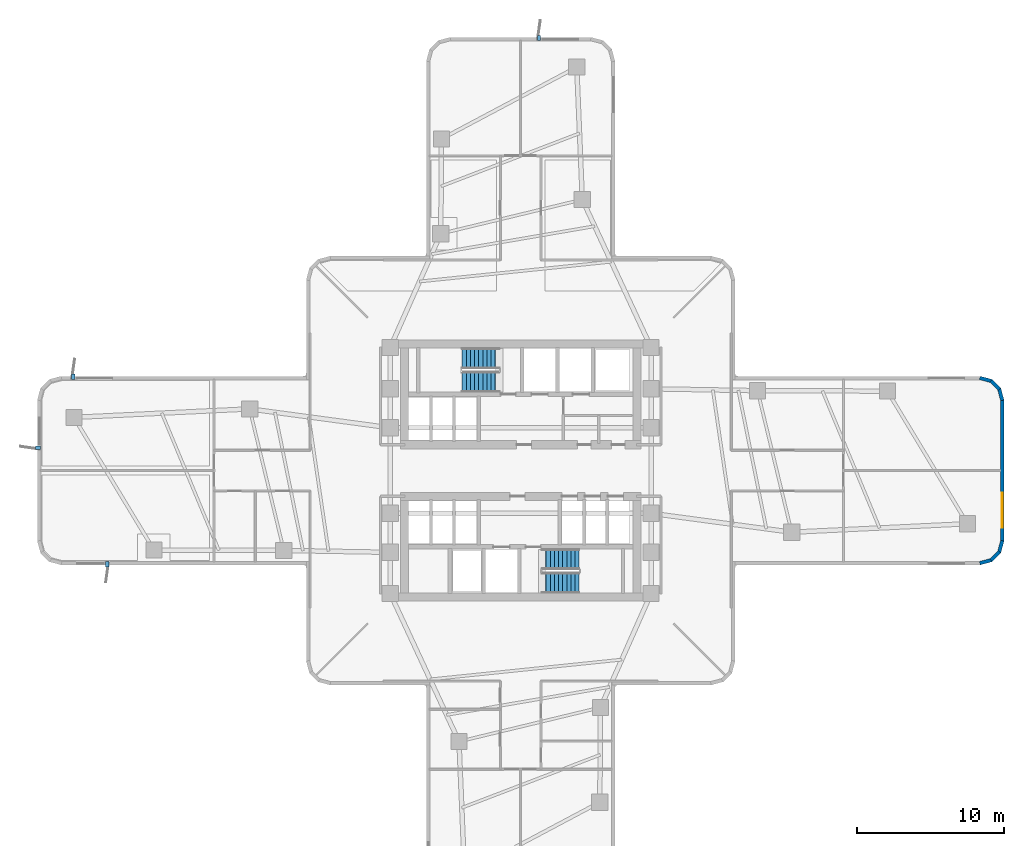
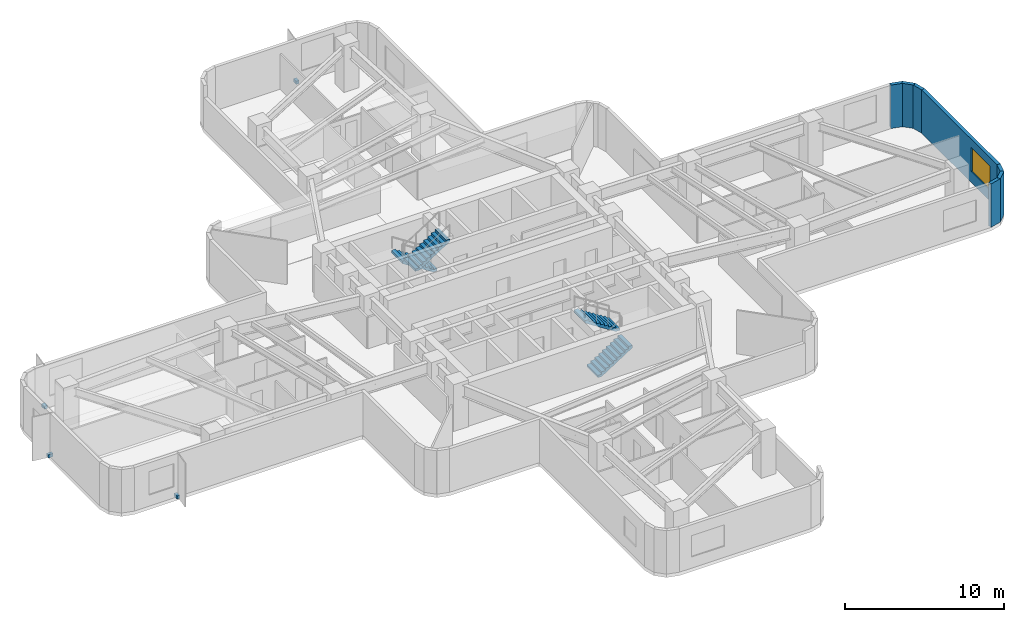
# One storey, part 6 of 9: 7 walls, 4 discrete accessories, 4 stair flights, 1 window, 1 opening, 2 elements without a shape of their own.
"""IFC4 building model written with IfcOpenShell, lengths in metres."""

from ifc_helpers import new_model, si_unit, direction, frame, frame_2d, origin, origin_2d, place, context, subcontext, project, spatial, polyline, rectangle, outline, extrude, material, layer, layer_set, type_object, element, fill, aggregate, save


model = new_model("IFC4")

# Units and contexts
model_context = context("Model", 3, precision=1e-05, world=origin(), true_north=direction((0.0, 1.0)))
body_context = subcontext(model_context, "Body", "Model", "MODEL_VIEW")
ifc_project = project(units=[si_unit("LENGTHUNIT", "METRE"), si_unit("AREAUNIT", "SQUARE_METRE"), si_unit("VOLUMEUNIT", "CUBIC_METRE"), si_unit("PLANEANGLEUNIT", "RADIAN"), si_unit("MASSUNIT", "GRAM", prefix="KILO")], contexts=[model_context])

# Site, building, storey
site_placement = place(None, origin())
site = spatial("IfcSite", under=ifc_project, at=site_placement, CompositionType="ELEMENT")
building_placement = place(site_placement, origin())
building = spatial("IfcBuilding", under=site, at=building_placement, Name="Solmarez Civic Tower", CompositionType="ELEMENT")
storey_placement = place(building_placement, frame((0.0, 0.0, 28.080078125)))
storey = spatial("IfcBuildingStorey", under=building, at=storey_placement, Name="L06", CompositionType="ELEMENT", Elevation=28.080078125)

# Walls
ifc_material_1 = material(Name="Precast concrete C40/50", Category="concrete")
ifc_layer = layer(ifc_material_1, 0.239990234375)
ifc_layer_set = layer_set([ifc_layer], Name="Precast concrete C40/50")
wall_type = type_object("IfcWallType", Name="WALL-EXT-240", PredefinedType="SOLIDWALL", material=ifc_layer_set)
wall_1_placement = place(storey_placement, frame((31.159912109375, 6.285888671875, 0.0), z_axis=(0.0, 0.0, 1.0), x_axis=(0.966234939601, -0.25766265056, 0.0)))
element("IfcWall", 1, at=wall_1_placement, inside=storey, type_object=wall_type, Name="L06 Exterior Precast Wall 39", PredefinedType="SOLIDWALL", context=body_context, shape_type="SweptSolid", body=[
    extrude(rectangle(XDim=0.830078125, YDim=0.239990234375, at=frame_2d((0.4150390625, 0.0))), origin(), (0.0, 0.0, 1.0), 3.33984375),
])
wall_2_placement = place(storey_placement, frame((31.919921875, 6.095947265625, 0.0), z_axis=(0.0, 0.0, 1.0), x_axis=(0.707256607812, -0.706956922808, 0.0)))
element("IfcWall", 2, at=wall_2_placement, inside=storey, type_object=wall_type, Name="L06 Exterior Precast Wall 40", PredefinedType="SOLIDWALL", context=body_context, shape_type="SweptSolid", body=[
    extrude(rectangle(XDim=0.814697265625, YDim=0.239990234375, at=frame_2d((0.4072265625, 0.0))), origin(), (0.0, 0.0, 1.0), 3.33984375),
])
wall_3_placement = place(storey_placement, frame((32.471923828125, 5.56201171875, 0.0), z_axis=(0.0, 0.0, 1.0), x_axis=(0.257937227116, -0.966161677396, 0.0)))
element("IfcWall", 3, at=wall_3_placement, inside=storey, type_object=wall_type, Name="L06 Exterior Precast Wall 41", PredefinedType="SOLIDWALL", context=body_context, shape_type="SweptSolid", body=[
    extrude(rectangle(XDim=0.830078125, YDim=0.239990234375, at=frame_2d((0.4150390625, 0.0))), origin(), (0.0, 0.0, 1.0), 3.33984375),
])

# Wall, opening, window
wall_4_placement = place(storey_placement, frame((32.679931640625, 4.80908203125, 0.0), z_axis=(0.0, 0.0, 1.0), x_axis=(0.0, -1.0, 0.0)))
wall_4 = element("IfcWall", 4, at=wall_4_placement, inside=storey, type_object=wall_type, Name="L06 Exterior Precast Wall 42", PredefinedType="SOLIDWALL", context=body_context, shape_type="SweptSolid", body=[
    extrude(rectangle(XDim=9.6181640625, YDim=0.239990234375, at=frame_2d((4.80908203125, 0.0))), origin(), (0.0, 0.0, 1.0), 3.33984375),
])
opening_placement = place(wall_4_placement, frame((6.302001953125, 0.0, 0.85009765625)))
opening = element("IfcOpeningElement", 5, at=opening_placement, cuts=wall_4, Name="Opening W-06", PredefinedType="OPENING", context=body_context, shape_type="SweptSolid", body=[
    extrude(rectangle(XDim=2.39990234375, YDim=1.85009765625, at=frame_2d((1.199951171875, 0.925048828125))), frame((0.0, 0.1298828125, 0.0), z_axis=(0.0, -1.0, 0.0), x_axis=(1.0, 0.0, 0.0)), (0.0, 0.0, 1.0), 0.260009765625),
])
ifc_material_2 = material(Name="Solar Control Bronze-Tinted Insulating Glass", Category="glass")
window_type = type_object("IfcWindowType", Name="WIN-2400X1850", PartitioningType="SINGLE_PANEL", PredefinedType="WINDOW", material=ifc_material_2)
window_placement = place(opening_placement, origin())
window = element("IfcWindow", 6, at=window_placement, inside=storey, type_object=window_type, Name="L06 Exterior Facade Window 42", OverallHeight=1.85009765625, OverallWidth=2.39990234375, PartitioningType="SINGLE_PANEL", PredefinedType="WINDOW", context=body_context, shape_type="SweptSolid", body=[
    extrude(rectangle(XDim=2.39990234375, YDim=1.85009765625, at=frame_2d((1.199951171875, 0.925048828125))), frame((0.0, 0.030029296875, 0.0), z_axis=(0.0, -1.0, 0.0), x_axis=(1.0, 0.0, 0.0)), (0.0, 0.0, 1.0), 0.06005859375),
])
fill(opening, window)

# Walls
wall_5_placement = place(storey_placement, frame((32.68603515625, -4.760009765625, 0.0), z_axis=(0.0, 0.0, 1.0), x_axis=(-0.257937227116, -0.966161677396, 0.0)))
element("IfcWall", 7, at=wall_5_placement, inside=storey, type_object=wall_type, Name="L06 Exterior Precast Wall 43", PredefinedType="SOLIDWALL", context=body_context, shape_type="SweptSolid", body=[
    extrude(rectangle(XDim=0.830078125, YDim=0.239990234375, at=frame_2d((0.4150390625, 0.0))), origin(), (0.0, 0.0, 1.0), 3.33984375),
])
wall_6_placement = place(storey_placement, frame((32.49609375, -5.52001953125, 0.0), z_axis=(0.0, 0.0, 1.0), x_axis=(-0.707256607812, -0.706956922808, 0.0)))
element("IfcWall", 8, at=wall_6_placement, inside=storey, type_object=wall_type, Name="L06 Exterior Precast Wall 44", PredefinedType="SOLIDWALL", context=body_context, shape_type="SweptSolid", body=[
    extrude(rectangle(XDim=0.814697265625, YDim=0.239990234375, at=frame_2d((0.4072265625, 0.0))), origin(), (0.0, 0.0, 1.0), 3.33984375),
])
wall_7_placement = place(storey_placement, frame((31.9619140625, -6.072021484375, 0.0), z_axis=(0.0, 0.0, 1.0), x_axis=(-0.966234939601, -0.25766265056, 0.0)))
element("IfcWall", 9, at=wall_7_placement, inside=storey, type_object=wall_type, Name="L06 Exterior Precast Wall 45", PredefinedType="SOLIDWALL", context=body_context, shape_type="SweptSolid", body=[
    extrude(rectangle(XDim=0.830078125, YDim=0.239990234375, at=frame_2d((0.4150390625, 0.0))), origin(), (0.0, 0.0, 1.0), 3.33984375),
])

# Stair, stair flights
ifc_material_3 = material(Name="Concrete C50/60", Category="concrete")
stair_type = type_object("IfcStairType", Name="STAIR-DOGLEG-140W-20R-1800", PredefinedType="HALF_TURN_STAIR", material=ifc_material_3)
stair_1_placement = place(storey_placement, origin())
stair_1 = element("IfcStair", 10, at=stair_1_placement, inside=storey, type_object=stair_type, Name="L06 North Core Protected Exit Stair ST-1", PredefinedType="HALF_TURN_STAIR")
stair_flight_type = type_object("IfcStairFlightType", Name="FLIGHT-DOGLEG-140W-10R-1800", PredefinedType="STRAIGHT", material=ifc_material_3)
stair_flight_1_placement = place(storey_placement, frame((-1.449951171875, 7.6201171875, 0.0), z_axis=(0.0, 0.0, 1.0), x_axis=(-1.0, 0.0, 0.0)))
stair_flight_1 = element("IfcStairFlight", 11, at=stair_flight_1_placement, type_object=stair_flight_type, Name="ST-1 flight 1", NumberOfRisers=10, NumberOfTreads=9, PredefinedType="STRAIGHT", RiserHeight=0.18, TreadLength=0.28, context=body_context, shape_type="SweptSolid", body=[
    extrude(outline(polyline([(0.0, 0.0), (0.0, 0.179931640625), (0.280029296875, 0.179931640625), (0.280029296875, 0.360107421875), (0.56005859375, 0.360107421875), (0.56005859375, 0.5400390625), (0.840087890625, 0.5400390625), (0.840087890625, 0.719970703125), (1.1201171875, 0.719970703125), (1.1201171875, 0.89990234375), (1.39990234375, 0.89990234375), (1.39990234375, 1.080078125), (1.679931640625, 1.080078125), (1.679931640625, 1.260009765625), (1.9599609375, 1.260009765625), (1.9599609375, 1.43994140625), (2.239990234375, 1.43994140625), (2.239990234375, 1.6201171875), (2.52001953125, 1.6201171875), (2.52001953125, 1.800048828125), (2.52001953125, 1.429931640625), (0.295654296875, 0.0), (0.0, 0.0)])), frame((0.0, 0.699951171875, 0.0), z_axis=(0.0, -1.0, 0.0), x_axis=(1.0, 0.0, 0.0)), (0.0, 0.0, 1.0), 1.39990234375),
])
stair_flight_2_placement = place(storey_placement, frame((-3.969970703125, 6.02001953125, 1.7998046875), z_axis=(0.0, 0.0, 1.0), x_axis=(1.0, 0.0, 0.0)))
stair_flight_2 = element("IfcStairFlight", 12, at=stair_flight_2_placement, type_object=stair_flight_type, Name="ST-1 flight 2", NumberOfRisers=10, NumberOfTreads=9, PredefinedType="STRAIGHT", RiserHeight=0.18, TreadLength=0.28, context=body_context, shape_type="SweptSolid", body=[
    extrude(outline(polyline([(0.0, 0.0), (0.0, 0.179931640625), (0.280029296875, 0.179931640625), (0.280029296875, 0.360107421875), (0.56005859375, 0.360107421875), (0.56005859375, 0.5400390625), (0.840087890625, 0.5400390625), (0.840087890625, 0.719970703125), (1.1201171875, 0.719970703125), (1.1201171875, 0.89990234375), (1.39990234375, 0.89990234375), (1.39990234375, 1.080078125), (1.679931640625, 1.080078125), (1.679931640625, 1.260009765625), (1.9599609375, 1.260009765625), (1.9599609375, 1.43994140625), (2.239990234375, 1.43994140625), (2.239990234375, 1.6201171875), (2.52001953125, 1.6201171875), (2.52001953125, 1.800048828125), (2.52001953125, 1.429931640625), (0.295654296875, 0.0), (0.0, 0.0)])), frame((0.0, 0.699951171875, 0.0), z_axis=(0.0, -1.0, 0.0), x_axis=(1.0, 0.0, 0.0)), (0.0, 0.0, 1.0), 1.39990234375),
])
aggregate(stair_1, [stair_flight_1, stair_flight_2])

stair_2_placement = place(storey_placement, origin())
stair_2 = element("IfcStair", 13, at=stair_2_placement, inside=storey, type_object=stair_type, Name="L06 South Core Protected Exit Stair ST-2", PredefinedType="HALF_TURN_STAIR")
stair_flight_3_placement = place(storey_placement, frame((1.449951171875, -7.6201171875, 0.0), z_axis=(0.0, 0.0, 1.0), x_axis=(1.0, 0.0, 0.0)))
stair_flight_3 = element("IfcStairFlight", 14, at=stair_flight_3_placement, type_object=stair_flight_type, Name="ST-2 flight 1", NumberOfRisers=10, NumberOfTreads=9, PredefinedType="STRAIGHT", RiserHeight=0.18, TreadLength=0.28, context=body_context, shape_type="SweptSolid", body=[
    extrude(outline(polyline([(0.0, 0.0), (0.0, 0.179931640625), (0.280029296875, 0.179931640625), (0.280029296875, 0.360107421875), (0.56005859375, 0.360107421875), (0.56005859375, 0.5400390625), (0.840087890625, 0.5400390625), (0.840087890625, 0.719970703125), (1.1201171875, 0.719970703125), (1.1201171875, 0.89990234375), (1.39990234375, 0.89990234375), (1.39990234375, 1.080078125), (1.679931640625, 1.080078125), (1.679931640625, 1.260009765625), (1.9599609375, 1.260009765625), (1.9599609375, 1.43994140625), (2.239990234375, 1.43994140625), (2.239990234375, 1.6201171875), (2.52001953125, 1.6201171875), (2.52001953125, 1.800048828125), (2.52001953125, 1.429931640625), (0.295654296875, 0.0), (0.0, 0.0)])), frame((0.0, 0.699951171875, 0.0), z_axis=(0.0, -1.0, 0.0), x_axis=(1.0, 0.0, 0.0)), (0.0, 0.0, 1.0), 1.39990234375),
])
stair_flight_4_placement = place(storey_placement, frame((3.969970703125, -6.02001953125, 1.7998046875), z_axis=(0.0, 0.0, 1.0), x_axis=(-1.0, 0.0, 0.0)))
stair_flight_4 = element("IfcStairFlight", 15, at=stair_flight_4_placement, type_object=stair_flight_type, Name="ST-2 flight 2", NumberOfRisers=10, NumberOfTreads=9, PredefinedType="STRAIGHT", RiserHeight=0.18, TreadLength=0.28, context=body_context, shape_type="SweptSolid", body=[
    extrude(outline(polyline([(0.0, 0.0), (0.0, 0.179931640625), (0.280029296875, 0.179931640625), (0.280029296875, 0.360107421875), (0.56005859375, 0.360107421875), (0.56005859375, 0.5400390625), (0.840087890625, 0.5400390625), (0.840087890625, 0.719970703125), (1.1201171875, 0.719970703125), (1.1201171875, 0.89990234375), (1.39990234375, 0.89990234375), (1.39990234375, 1.080078125), (1.679931640625, 1.080078125), (1.679931640625, 1.260009765625), (1.9599609375, 1.260009765625), (1.9599609375, 1.43994140625), (2.239990234375, 1.43994140625), (2.239990234375, 1.6201171875), (2.52001953125, 1.6201171875), (2.52001953125, 1.800048828125), (2.52001953125, 1.429931640625), (0.295654296875, 0.0), (0.0, 0.0)])), frame((0.0, 0.699951171875, 0.0), z_axis=(0.0, -1.0, 0.0), x_axis=(1.0, 0.0, 0.0)), (0.0, 0.0, 1.0), 1.39990234375),
])
aggregate(stair_2, [stair_flight_3, stair_flight_4])

# Discrete accessories
ifc_material_4 = material(Name="Stainless Steel Grade 1.4401", Category="steel")
discrete_accessory_type = type_object("IfcDiscreteAccessoryType", Name="BRACKET-SS-FIN", PredefinedType="BRACKET", material=ifc_material_4)
for number, where, z_axis, x_axis, name in (
    (16, (-28.05908203125, -6.360107421875, -0.06005859375), (0.0, 0.0, 1.0), (0.0, -1.0, 0.0), "L06 Stainless Fin Support Bracket FIN-L06-01"),
    (17, (-32.760009765625, 1.54296875, -0.06005859375), (0.0, 0.0, 1.0), (-1.0, 0.0, 0.0), "L06 Stainless Fin Support Bracket FIN-L06-02"),
    (18, (-30.35888671875, 6.360107421875, -0.06005859375), (0.0, 0.0, 1.0), (0.0, 1.0, 0.0), "L06 Stainless Fin Support Bracket FIN-L06-03"),
    (19, (1.242919921875, 29.360107421875, -0.06005859375), (0.0, 0.0, 1.0), (0.0, 1.0, 0.0), "L06 Stainless Fin Support Bracket FIN-L06-04"),
):
    element("IfcDiscreteAccessory", number, at=place(storey_placement, frame(where, z_axis=z_axis, x_axis=x_axis)), inside=storey, type_object=discrete_accessory_type, Name=name, PredefinedType="BRACKET", context=body_context, shape_type="SweptSolid", body=[
        extrude(rectangle(XDim=0.360107421875, YDim=0.219970703125, at=origin_2d()), origin(), (0.0, 0.0, 1.0), 0.239990234375),
    ])

save(model, "model.ifc")
